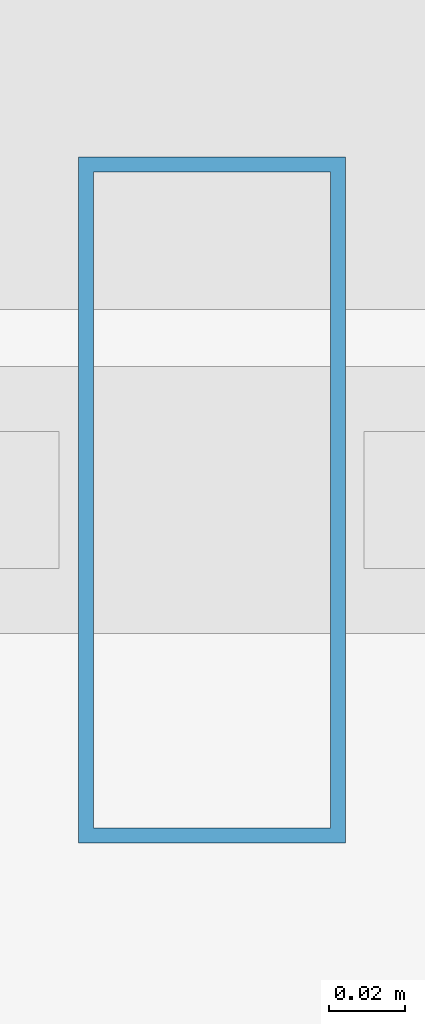
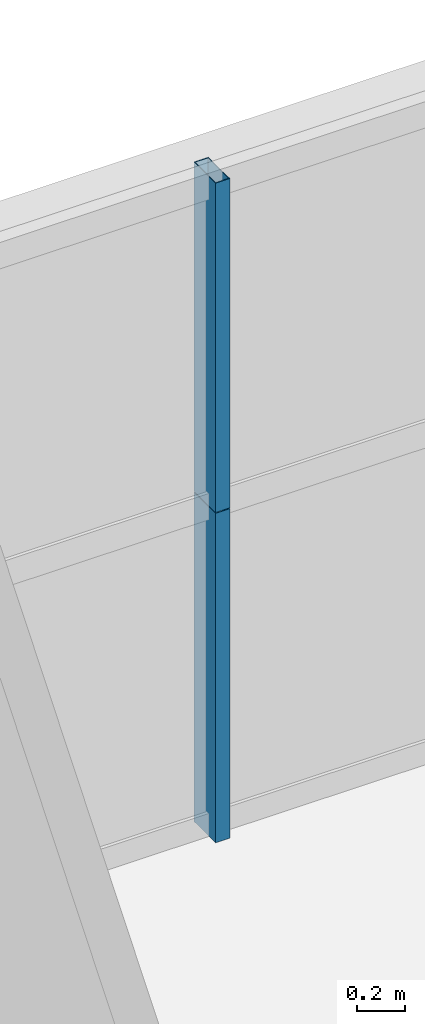
# One storey, part 36 of 45: 2 members, 1 element without a shape of its own.
"""IFC4 building model written with IfcOpenShell, lengths in metres."""

from ifc_helpers import new_model, si_unit, direction, frame, origin, origin_2d, place, context, subcontext, project, spatial, hollow_rectangle, extrude, source, transform, mapped, material, layer, layer_set, material_profile, profile_set, type_object, element, aggregate, save


model = new_model("IFC4")

# Units and contexts
model_context = context("Model", 3, precision=1e-05, world=origin(), true_north=direction((0.0, 1.0)))
body_context = subcontext(model_context, "Body", "Model", "MODEL_VIEW")
ifc_project = project(units=[si_unit("LENGTHUNIT", "METRE"), si_unit("AREAUNIT", "SQUARE_METRE"), si_unit("VOLUMEUNIT", "CUBIC_METRE"), si_unit("PLANEANGLEUNIT", "RADIAN"), si_unit("MASSUNIT", "GRAM", prefix="KILO"), si_unit("THERMODYNAMICTEMPERATUREUNIT", "KELVIN"), si_unit("POWERUNIT", "WATT")], contexts=[model_context])

# Site, building, storey
site_placement = place(None, origin())
site = spatial("IfcSite", under=ifc_project, at=site_placement, CompositionType="ELEMENT")
building_placement = place(site_placement, origin())
building = spatial("IfcBuilding", under=site, at=building_placement, Name="Yuzanri Waterfront Tower", CompositionType="ELEMENT")
storey_placement = place(building_placement, frame((0.0, 0.0, 34.199951171875)))
storey = spatial("IfcBuildingStorey", under=building, at=storey_placement, Name="L08", CompositionType="ELEMENT", Elevation=34.199951171875)

# Curtain wall, members
ifc_material_1 = material(Name="Anodized Architectural Bronze", Category="metal")
ifc_layer = layer(ifc_material_1, 0.159912109375)
ifc_layer_set = layer_set([ifc_layer], Name="Anodized Architectural Bronze")
curtain_wall_type = type_object("IfcCurtainWallType", Name="Anodized Bronze Hotel Lower-Tier Recessed Unitized Curtain Wall 8100", PredefinedType="NOTDEFINED", material=ifc_layer_set)
curtain_wall_placement = place(storey_placement, origin())
curtain_wall = element("IfcCurtainWall", 1, at=curtain_wall_placement, inside=storey, type_object=curtain_wall_type, Name="L08 Curtain Wall CW-L08-NR", PredefinedType="NOTDEFINED")
ifc_material_2 = material(Name="Anodized Architectural Bronze", Category="metal")
ifc_material_profile = material_profile(ifc_material_2, hollow_rectangle(XDim=0.070068359375, YDim=0.179931640625, WallThickness=0.00390625, at=origin_2d()), Name="CWM 70x180")
ifc_profile_set = profile_set([ifc_material_profile], Name="Anodized Architectural Bronze")
member_type = type_object("IfcMemberType", Name="Anodized Bronze Standard Curtain-Wall Mullion 70x180", PredefinedType="MULLION", material=ifc_profile_set)
shared_shape = source(origin(), body_context, "Body", "SweptSolid", [
    extrude(hollow_rectangle(XDim=0.070068359375, YDim=0.179931640625, WallThickness=0.00390625, at=origin_2d()), origin(), (0.0, 0.0, 1.0), 1.68798828125),
])
member_1_placement = place(storey_placement, frame((46.10009765625, 50.75, 0.0), z_axis=(0.0, 0.0, 1.0), x_axis=(1.0, 0.0, 0.0)))
member_1 = element("IfcMember", 2, at=member_1_placement, type_object=member_type, Name="CW-L08-NR Lower Mullion 01", PredefinedType="MULLION", context=body_context, shape_type="MappedRepresentation", body=[
    mapped(shared_shape, transform((0.0, 0.0, 0.0), scale=1.0)),
])
member_2_placement = place(storey_placement, frame((46.10009765625, 50.75, 1.692138671875), z_axis=(0.0, 0.0, 1.0), x_axis=(1.0, 0.0, 0.0)))
member_2 = element("IfcMember", 3, at=member_2_placement, type_object=member_type, Name="CW-L08-NR Upper Mullion 01", PredefinedType="MULLION", context=body_context, shape_type="MappedRepresentation", body=[
    mapped(shared_shape, transform((0.0, 0.0, 0.0), scale=1.0)),
])
aggregate(curtain_wall, [member_1, member_2])

save(model, "model.ifc")
